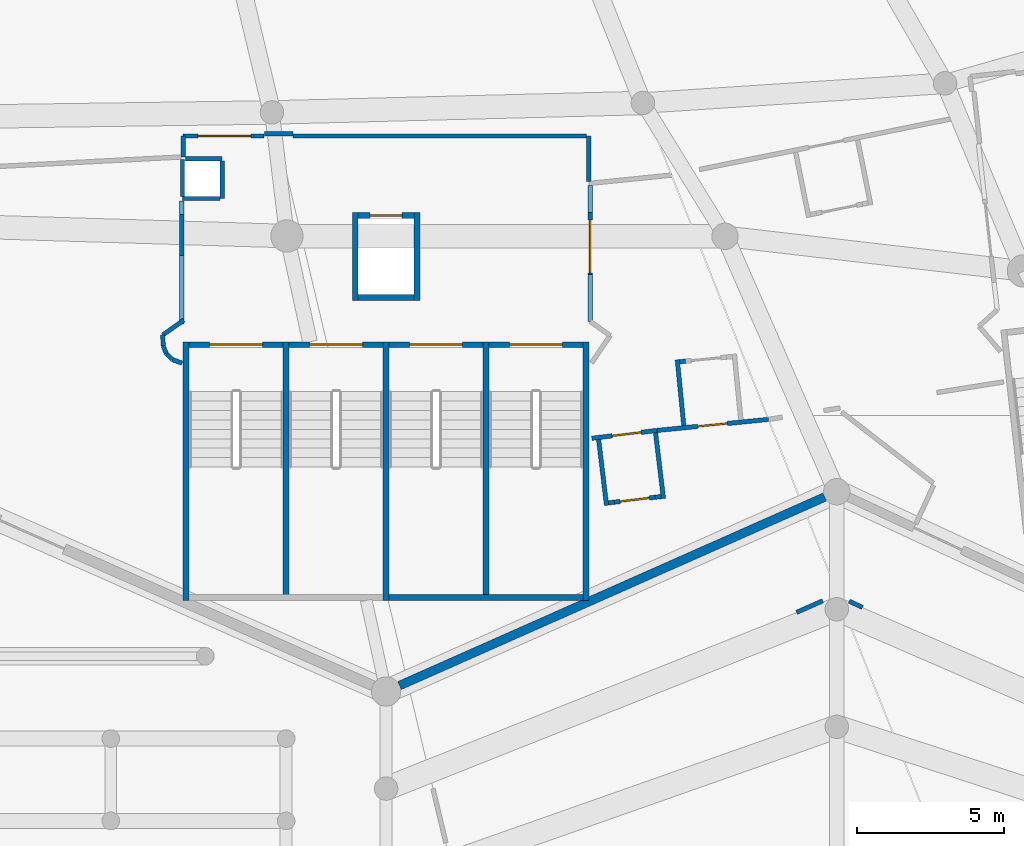
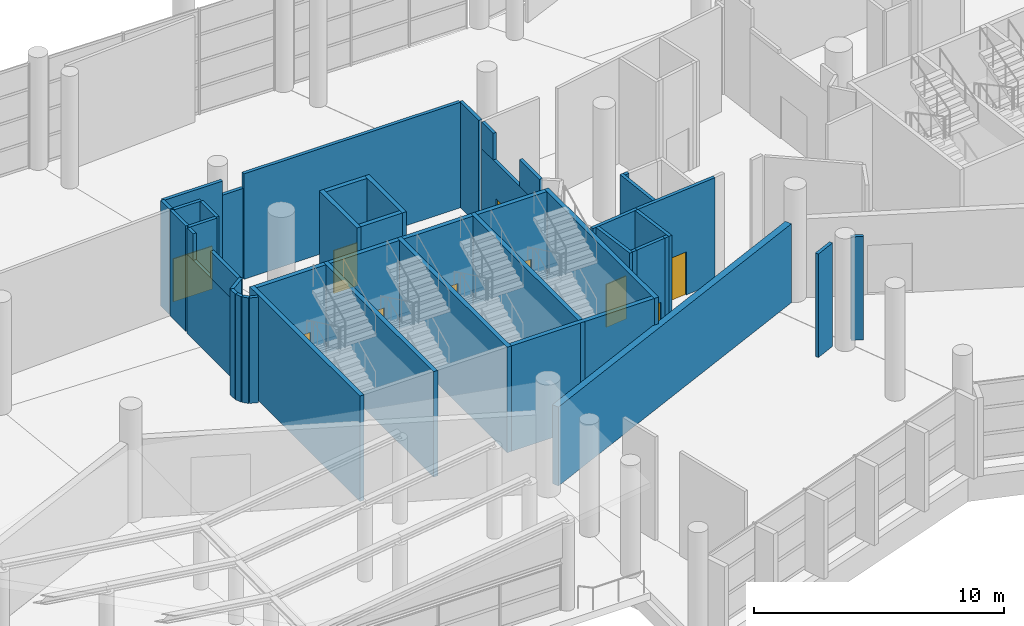
# One storey, part 170 of 271: 46 walls, 10 doors, 10 openings.
"""IFC4 building model written with IfcOpenShell, lengths in metres."""

from ifc_helpers import new_model, si_unit, direction, frame, frame_2d, origin, place, context, subcontext, project, spatial, rectangle, extrude, material, layer, layer_set, type_object, element, fill, save


model = new_model("IFC4")

# Units and contexts
model_context = context("Model", 3, precision=1e-05, world=origin(), true_north=direction((0.0, 1.0)))
body_context = subcontext(model_context, "Body", "Model", "MODEL_VIEW")
ifc_project = project(units=[si_unit("LENGTHUNIT", "METRE"), si_unit("AREAUNIT", "SQUARE_METRE"), si_unit("VOLUMEUNIT", "CUBIC_METRE"), si_unit("PLANEANGLEUNIT", "RADIAN"), si_unit("MASSUNIT", "GRAM", prefix="KILO")], contexts=[model_context])

# Site, building, storey
site_placement = place(None, origin())
site = spatial("IfcSite", under=ifc_project, at=site_placement, CompositionType="ELEMENT")
building_placement = place(site_placement, origin())
building = spatial("IfcBuilding", under=site, at=building_placement, Name="Meseta Stadium", CompositionType="ELEMENT")
storey_placement = place(building_placement, frame((0.0, 0.0, 6.5)))
storey = spatial("IfcBuildingStorey", under=building, at=storey_placement, Name="L01", CompositionType="ELEMENT", Elevation=6.5)

# Walls
ifc_material_1 = material(Name="Concrete C40/50", Category="concrete")
ifc_layer_1 = layer(ifc_material_1, 0.199951171875)
ifc_layer_set_1 = layer_set([ifc_layer_1], Name="Core divider wall 200")
wall_type_1 = type_object("IfcWallType", Name="Core divider wall 200", PredefinedType="SHEAR", material=ifc_layer_set_1)
for number, where, z_axis, x_axis, name in (
    (1, (19.60009765625, -102.300048828125, 0.0), (0.0, 0.0, 1.0), (0.0, 1.0, 0.0), "Core 25 L01 stair A divider wall"),
    (2, (26.39990234375, -102.300048828125, 0.0), (0.0, 0.0, 1.0), (0.0, 1.0, 0.0), "Core 25 L01 stair B divider wall"),
):
    element("IfcWall", number, at=place(storey_placement, frame(where, z_axis=z_axis, x_axis=x_axis)), inside=storey, type_object=wall_type_1, Name=name, PredefinedType="SHEAR", context=body_context, shape_type="SweptSolid", body=[
        extrude(rectangle(XDim=8.800048828125, YDim=0.199951171875, at=frame_2d((4.39990234375, 0.0))), origin(), (0.0, 0.0, 1.0), 5.14990234375),
    ])
ifc_material_2 = material(Name="Concrete C40/50", Category="concrete")
ifc_layer_2 = layer(ifc_material_2, 0.199951171875)
ifc_layer_set_2 = layer_set([ifc_layer_2], Name="Core shaft wall 200")
wall_type_2 = type_object("IfcWallType", Name="Core shaft wall 200", PredefinedType="SHEAR", material=ifc_layer_set_2)
for number, where, z_axis, x_axis, name in (
    (3, (16.199951171875, -102.300048828125, 0.0), (0.0, 0.0, 1.0), (0.0, 1.0, 0.0), "Core 25 L01 stair wall A-side"),
    (4, (23.0, -102.300048828125, 0.0), (0.0, 0.0, 1.0), (0.0, 1.0, 0.0), "Core 25 L01 stair wall shared"),
    (5, (29.800048828125, -102.300048828125, 0.0), (0.0, 0.0, 1.0), (0.0, 1.0, 0.0), "Core 25 L01 stair wall B-side"),
):
    element("IfcWall", number, at=place(storey_placement, frame(where, z_axis=z_axis, x_axis=x_axis)), inside=storey, type_object=wall_type_2, Name=name, PredefinedType="SHEAR", context=body_context, shape_type="SweptSolid", body=[
        extrude(rectangle(XDim=8.800048828125, YDim=0.199951171875, at=frame_2d((4.39990234375, 0.0))), origin(), (0.0, 0.0, 1.0), 5.14990234375),
    ])
wall_1_placement = place(storey_placement, frame((23.10009765625, -102.199951171875, 0.0), z_axis=(0.0, 0.0, 1.0), x_axis=(1.0, 0.0, 0.0)))
element("IfcWall", 6, at=wall_1_placement, inside=storey, type_object=wall_type_2, Name="Core 25 L01 stair B outer end wall", PredefinedType="SHEAR", context=body_context, shape_type="SweptSolid", body=[
    extrude(rectangle(XDim=6.599853515625, YDim=0.199951171875, at=frame_2d((3.2998046875, 0.0))), origin(), (0.0, 0.0, 1.0), 5.14990234375),
])

# Wall, opening, door
wall_2_placement = place(storey_placement, frame((16.300048828125, -93.60009765625, 0.0), z_axis=(0.0, 0.0, 1.0), x_axis=(1.0, 0.0, 0.0)))
wall_2 = element("IfcWall", 7, at=wall_2_placement, inside=storey, type_object=wall_type_2, Name="Core 25 L01 stair A1 inner end wall", PredefinedType="SHEAR", context=body_context, shape_type="SweptSolid", body=[
    extrude(rectangle(XDim=3.199951171875, YDim=0.199951171875, at=frame_2d((1.60009765625, 0.0))), origin(), (0.0, 0.0, 1.0), 5.14990234375),
])
opening_1_placement = place(wall_2_placement, frame((0.699951171875, 0.0, 0.0)))
opening_1 = element("IfcOpeningElement", 8, at=opening_1_placement, cuts=wall_2, Name="Opening D337", PredefinedType="OPENING", context=body_context, shape_type="SweptSolid", body=[
    extrude(rectangle(XDim=1.800048828125, YDim=2.10009765625, at=frame_2d((0.89990234375, 1.050048828125))), frame((0.0, 0.10986328125, 0.0), z_axis=(0.0, -1.0, 0.0), x_axis=(1.0, 0.0, 0.0)), (0.0, 0.0, 1.0), 0.219970703125),
])
ifc_material_3 = material(Name="Steel", Category="steel")
door_type_1 = type_object("IfcDoorType", Name="Stair door 1800x2100", OperationType="DOUBLE_DOOR_SINGLE_SWING", PredefinedType="DOOR", material=ifc_material_3)
door_1_placement = place(opening_1_placement, origin())
door_1 = element("IfcDoor", 9, at=door_1_placement, inside=storey, type_object=door_type_1, Name="Stair A1 door 25 L01", OperationType="DOUBLE_DOOR_SINGLE_SWING", OverallHeight=2.10009765625, OverallWidth=1.800048828125, PredefinedType="DOOR", context=body_context, shape_type="SweptSolid", body=[
    extrude(rectangle(XDim=1.800048828125, YDim=2.10009765625, at=frame_2d((0.89990234375, 1.050048828125))), frame((0.0, 0.02490234375, 0.0), z_axis=(0.0, -1.0, 0.0), x_axis=(1.0, 0.0, 0.0)), (0.0, 0.0, 1.0), 0.050048828125),
])
fill(opening_1, door_1)

wall_3_placement = place(storey_placement, frame((19.699951171875, -93.60009765625, 0.0), z_axis=(0.0, 0.0, 1.0), x_axis=(1.0, 0.0, 0.0)))
wall_3 = element("IfcWall", 10, at=wall_3_placement, inside=storey, type_object=wall_type_2, Name="Core 25 L01 stair A2 inner end wall", PredefinedType="SHEAR", context=body_context, shape_type="SweptSolid", body=[
    extrude(rectangle(XDim=3.199951171875, YDim=0.199951171875, at=frame_2d((1.60009765625, 0.0))), origin(), (0.0, 0.0, 1.0), 5.14990234375),
])
opening_2_placement = place(wall_3_placement, frame((0.699951171875, 0.0, 0.0)))
opening_2 = element("IfcOpeningElement", 11, at=opening_2_placement, cuts=wall_3, Name="Opening D338", PredefinedType="OPENING", context=body_context, shape_type="SweptSolid", body=[
    extrude(rectangle(XDim=1.800048828125, YDim=2.10009765625, at=frame_2d((0.89990234375, 1.050048828125))), frame((0.0, 0.10986328125, 0.0), z_axis=(0.0, -1.0, 0.0), x_axis=(1.0, 0.0, 0.0)), (0.0, 0.0, 1.0), 0.219970703125),
])
door_2_placement = place(opening_2_placement, origin())
door_2 = element("IfcDoor", 12, at=door_2_placement, inside=storey, type_object=door_type_1, Name="Stair A2 door 25 L01", OperationType="DOUBLE_DOOR_SINGLE_SWING", OverallHeight=2.10009765625, OverallWidth=1.800048828125, PredefinedType="DOOR", context=body_context, shape_type="SweptSolid", body=[
    extrude(rectangle(XDim=1.800048828125, YDim=2.10009765625, at=frame_2d((0.89990234375, 1.050048828125))), frame((0.0, 0.02490234375, 0.0), z_axis=(0.0, -1.0, 0.0), x_axis=(1.0, 0.0, 0.0)), (0.0, 0.0, 1.0), 0.050048828125),
])
fill(opening_2, door_2)

wall_4_placement = place(storey_placement, frame((23.10009765625, -93.60009765625, 0.0), z_axis=(0.0, 0.0, 1.0), x_axis=(1.0, 0.0, 0.0)))
wall_4 = element("IfcWall", 13, at=wall_4_placement, inside=storey, type_object=wall_type_2, Name="Core 25 L01 stair B1 inner end wall", PredefinedType="SHEAR", context=body_context, shape_type="SweptSolid", body=[
    extrude(rectangle(XDim=3.199951171875, YDim=0.199951171875, at=frame_2d((1.60009765625, 0.0))), origin(), (0.0, 0.0, 1.0), 5.14990234375),
])
opening_3_placement = place(wall_4_placement, frame((0.699951171875, 0.0, 0.0)))
opening_3 = element("IfcOpeningElement", 14, at=opening_3_placement, cuts=wall_4, Name="Opening D339", PredefinedType="OPENING", context=body_context, shape_type="SweptSolid", body=[
    extrude(rectangle(XDim=1.800048828125, YDim=2.10009765625, at=frame_2d((0.89990234375, 1.050048828125))), frame((0.0, 0.10986328125, 0.0), z_axis=(0.0, -1.0, 0.0), x_axis=(1.0, 0.0, 0.0)), (0.0, 0.0, 1.0), 0.219970703125),
])
door_3_placement = place(opening_3_placement, origin())
door_3 = element("IfcDoor", 15, at=door_3_placement, inside=storey, type_object=door_type_1, Name="Stair B1 door 25 L01", OperationType="DOUBLE_DOOR_SINGLE_SWING", OverallHeight=2.10009765625, OverallWidth=1.800048828125, PredefinedType="DOOR", context=body_context, shape_type="SweptSolid", body=[
    extrude(rectangle(XDim=1.800048828125, YDim=2.10009765625, at=frame_2d((0.89990234375, 1.050048828125))), frame((0.0, 0.02490234375, 0.0), z_axis=(0.0, -1.0, 0.0), x_axis=(1.0, 0.0, 0.0)), (0.0, 0.0, 1.0), 0.050048828125),
])
fill(opening_3, door_3)

wall_5_placement = place(storey_placement, frame((26.5, -93.60009765625, 0.0), z_axis=(0.0, 0.0, 1.0), x_axis=(1.0, 0.0, 0.0)))
wall_5 = element("IfcWall", 16, at=wall_5_placement, inside=storey, type_object=wall_type_2, Name="Core 25 L01 stair B2 inner end wall", PredefinedType="SHEAR", context=body_context, shape_type="SweptSolid", body=[
    extrude(rectangle(XDim=3.199951171875, YDim=0.199951171875, at=frame_2d((1.60009765625, 0.0))), origin(), (0.0, 0.0, 1.0), 5.14990234375),
])
opening_4_placement = place(wall_5_placement, frame((0.699951171875, 0.0, 0.0)))
opening_4 = element("IfcOpeningElement", 17, at=opening_4_placement, cuts=wall_5, Name="Opening D340", PredefinedType="OPENING", context=body_context, shape_type="SweptSolid", body=[
    extrude(rectangle(XDim=1.800048828125, YDim=2.10009765625, at=frame_2d((0.89990234375, 1.050048828125))), frame((0.0, 0.10986328125, 0.0), z_axis=(0.0, -1.0, 0.0), x_axis=(1.0, 0.0, 0.0)), (0.0, 0.0, 1.0), 0.219970703125),
])
door_4_placement = place(opening_4_placement, origin())
door_4 = element("IfcDoor", 18, at=door_4_placement, inside=storey, type_object=door_type_1, Name="Stair B2 door 25 L01", OperationType="DOUBLE_DOOR_SINGLE_SWING", OverallHeight=2.10009765625, OverallWidth=1.800048828125, PredefinedType="DOOR", context=body_context, shape_type="SweptSolid", body=[
    extrude(rectangle(XDim=1.800048828125, YDim=2.10009765625, at=frame_2d((0.89990234375, 1.050048828125))), frame((0.0, 0.02490234375, 0.0), z_axis=(0.0, -1.0, 0.0), x_axis=(1.0, 0.0, 0.0)), (0.0, 0.0, 1.0), 0.050048828125),
])
fill(opening_4, door_4)

# Walls
for number, where, z_axis, x_axis, name in (
    (19, (21.949951171875, -92.10009765625, 0.0), (0.0, 0.0, 1.0), (0.0, 1.0, 0.0), "Core 25 L01 lift shaft wall left"),
    (20, (24.050048828125, -92.10009765625, 0.0), (0.0, 0.0, 1.0), (0.0, 1.0, 0.0), "Core 25 L01 lift shaft wall right"),
):
    element("IfcWall", number, at=place(storey_placement, frame(where, z_axis=z_axis, x_axis=x_axis)), inside=storey, type_object=wall_type_2, Name=name, PredefinedType="SHEAR", context=body_context, shape_type="SweptSolid", body=[
        extrude(rectangle(XDim=3.0, YDim=0.199951171875, at=frame_2d((1.5, 0.0))), origin(), (0.0, 0.0, 1.0), 5.14990234375),
    ])
wall_6_placement = place(storey_placement, frame((22.050048828125, -92.0, 0.0), z_axis=(0.0, 0.0, 1.0), x_axis=(1.0, 0.0, 0.0)))
element("IfcWall", 21, at=wall_6_placement, inside=storey, type_object=wall_type_2, Name="Core 25 L01 lift shaft back wall", PredefinedType="SHEAR", context=body_context, shape_type="SweptSolid", body=[
    extrude(rectangle(XDim=1.89990234375, YDim=0.199951171875, at=frame_2d((0.949951171875, 0.0))), origin(), (0.0, 0.0, 1.0), 5.14990234375),
])

# Wall, opening, door
wall_7_placement = place(storey_placement, frame((22.050048828125, -89.199951171875, 0.0), z_axis=(0.0, 0.0, 1.0), x_axis=(1.0, 0.0, 0.0)))
wall_7 = element("IfcWall", 22, at=wall_7_placement, inside=storey, type_object=wall_type_2, Name="Core 25 L01 lift shaft front wall", PredefinedType="SHEAR", context=body_context, shape_type="SweptSolid", body=[
    extrude(rectangle(XDim=1.89990234375, YDim=0.199951171875, at=frame_2d((0.949951171875, 0.0))), origin(), (0.0, 0.0, 1.0), 5.14990234375),
])
opening_5_placement = place(wall_7_placement, frame((0.39990234375, 0.0, 0.0)))
opening_5 = element("IfcOpeningElement", 23, at=opening_5_placement, cuts=wall_7, Name="Opening LD137", PredefinedType="OPENING", context=body_context, shape_type="SweptSolid", body=[
    extrude(rectangle(XDim=1.10009765625, YDim=2.10009765625, at=frame_2d((0.550048828125, 1.050048828125))), frame((0.0, 0.10986328125, 0.0), z_axis=(0.0, -1.0, 0.0), x_axis=(1.0, 0.0, 0.0)), (0.0, 0.0, 1.0), 0.219970703125),
])
ifc_material_4 = material(Name="Steel", Category="steel")
door_type_2 = type_object("IfcDoorType", Name="Lift landing door 1100x2100", OperationType="SLIDING_TO_LEFT", PredefinedType="DOOR", material=ifc_material_4)
door_5_placement = place(opening_5_placement, origin())
door_5 = element("IfcDoor", 24, at=door_5_placement, inside=storey, type_object=door_type_2, Name="Lift landing door LD137", OperationType="SLIDING_TO_LEFT", OverallHeight=2.10009765625, OverallWidth=1.10009765625, PredefinedType="DOOR", context=body_context, shape_type="SweptSolid", body=[
    extrude(rectangle(XDim=1.10009765625, YDim=2.10009765625, at=frame_2d((0.550048828125, 1.050048828125))), frame((0.0, 0.02490234375, 0.0), z_axis=(0.0, -1.0, 0.0), x_axis=(1.0, 0.0, 0.0)), (0.0, 0.0, 1.0), 0.050048828125),
])
fill(opening_5, door_5)

ifc_material_5 = material(Name="Masonry blockwork", Category="masonry")
ifc_layer_3 = layer(ifc_material_5, 0.14990234375)
ifc_layer_set_3 = layer_set([ifc_layer_3], Name="Partition 150")
wall_type_3 = type_object("IfcWallType", Name="Partition 150", PredefinedType="PARTITIONING", material=ifc_layer_set_3)
wall_8_placement = place(storey_placement, frame((18.85107421875, -86.5, 0.0), z_axis=(0.0, 0.0, 1.0), x_axis=(-1.0, 0.0, 0.0)))
wall_8 = element("IfcWall", 25, at=wall_8_placement, inside=storey, type_object=wall_type_3, Name="Partition L01 L01-cell23-0-0", PredefinedType="PARTITIONING", context=body_context, shape_type="SweptSolid", body=[
    extrude(rectangle(XDim=2.7509765625, YDim=0.14990234375, at=frame_2d((1.37548828125, 0.0))), origin(), (0.0, 0.0, 1.0), 5.14990234375),
])
opening_6_placement = place(wall_8_placement, frame((0.449951171875, 0.0, 0.0)))
opening_6 = element("IfcOpeningElement", 26, at=opening_6_placement, cuts=wall_8, Name="Opening D672", PredefinedType="OPENING", context=body_context, shape_type="SweptSolid", body=[
    extrude(rectangle(XDim=1.800048828125, YDim=2.10009765625, at=frame_2d((0.89990234375, 1.050048828125))), frame((0.0, 0.0849609375, 0.0), z_axis=(0.0, -1.0, 0.0), x_axis=(1.0, 0.0, 0.0)), (0.0, 0.0, 1.0), 0.169921875),
])
ifc_material_6 = material(Name="Steel", Category="steel")
door_type_3 = type_object("IfcDoorType", Name="Fire double door 1800x2100 EI2 60", OperationType="DOUBLE_DOOR_SINGLE_SWING", PredefinedType="DOOR", material=ifc_material_6)
door_6_placement = place(opening_6_placement, origin())
door_6 = element("IfcDoor", 27, at=door_6_placement, inside=storey, type_object=door_type_3, Name="Door D672", OperationType="DOUBLE_DOOR_SINGLE_SWING", OverallHeight=2.10009765625, OverallWidth=1.800048828125, PredefinedType="DOOR", context=body_context, shape_type="SweptSolid", body=[
    extrude(rectangle(XDim=1.800048828125, YDim=2.10009765625, at=frame_2d((0.89990234375, 1.050048828125))), frame((0.0, 0.02490234375, 0.0), z_axis=(0.0, -1.0, 0.0), x_axis=(1.0, 0.0, 0.0)), (0.0, 0.0, 1.0), 0.050048828125),
])
fill(opening_6, door_6)

# Walls
wall_9_placement = place(storey_placement, frame((16.10009765625, -86.5, 0.0), z_axis=(0.0, 0.0, 1.0), x_axis=(0.0, -1.0, 0.0)))
element("IfcWall", 28, at=wall_9_placement, inside=storey, type_object=wall_type_3, Name="Partition L01 L01-cell23-0-0", PredefinedType="PARTITIONING", context=body_context, shape_type="SweptSolid", body=[
    extrude(rectangle(XDim=0.7099609375, YDim=0.14990234375, at=frame_2d((0.35498046875, 0.0))), origin(), (0.0, 0.0, 1.0), 5.14990234375),
])
wall_10_placement = place(storey_placement, frame((29.89990234375, -88.03955078125, 0.0), z_axis=(0.0, 0.0, 1.0), x_axis=(0.0, 1.0, 0.0)))
element("IfcWall", 29, at=wall_10_placement, inside=storey, type_object=wall_type_3, Name="Partition L01 L01-cell24-0-0", PredefinedType="PARTITIONING", context=body_context, shape_type="SweptSolid", body=[
    extrude(rectangle(XDim=1.53955078125, YDim=0.14990234375, at=frame_2d((0.769775390625, 0.0))), origin(), (0.0, 0.0, 1.0), 5.14990234375),
])
wall_11_placement = place(storey_placement, frame((29.824951171875, -86.5, 0.0), z_axis=(0.0, 0.0, 1.0), x_axis=(-1.0, 0.0, 0.0)))
element("IfcWall", 30, at=wall_11_placement, inside=storey, type_object=wall_type_3, Name="Partition L01 L01-cell24-0-0", PredefinedType="PARTITIONING", context=body_context, shape_type="SweptSolid", body=[
    extrude(rectangle(XDim=9.986328125, YDim=0.14990234375, at=frame_2d((4.9931640625, 0.0))), origin(), (0.0, 0.0, 1.0), 5.14990234375),
])

# Wall, opening, door
wall_12_placement = place(storey_placement, frame((30.0, -96.783447265625, 0.0), z_axis=(0.0, 0.0, 1.0), x_axis=(0.992839520799, 0.119455790735, 0.0)))
wall_12 = element("IfcWall", 31, at=wall_12_placement, inside=storey, type_object=wall_type_3, Name="Partition L01 L01-cell24-2-0", PredefinedType="PARTITIONING", context=body_context, shape_type="SweptSolid", body=[
    extrude(rectangle(XDim=2.231689453125, YDim=0.14990234375, at=frame_2d((1.11572265625, 0.0))), origin(), (0.0, 0.0, 1.0), 5.14990234375),
])
opening_7_placement = place(wall_12_placement, frame((0.699951171875, 0.0, 0.0)))
opening_7 = element("IfcOpeningElement", 32, at=opening_7_placement, cuts=wall_12, Name="Opening D674", PredefinedType="OPENING", context=body_context, shape_type="SweptSolid", body=[
    extrude(rectangle(XDim=1.0, YDim=2.10009765625, at=frame_2d((0.5, 1.050048828125))), frame((0.0, 0.0849609375, 0.0), z_axis=(0.0, -1.0, 0.0), x_axis=(1.0, 0.0, 0.0)), (0.0, 0.0, 1.0), 0.169921875),
])
ifc_material_7 = material(Name="Steel", Category="steel")
door_type_4 = type_object("IfcDoorType", Name="Fire door 1000x2100 EI2 60", OperationType="NOTDEFINED", PredefinedType="DOOR", material=ifc_material_7)
door_7_placement = place(opening_7_placement, origin())
door_7 = element("IfcDoor", 33, at=door_7_placement, inside=storey, type_object=door_type_4, Name="Door D674", OperationType="SINGLE_SWING_RIGHT", OverallHeight=2.10009765625, OverallWidth=1.0, PredefinedType="DOOR", context=body_context, shape_type="SweptSolid", body=[
    extrude(rectangle(XDim=1.0, YDim=2.10009765625, at=frame_2d((0.5, 1.050048828125))), frame((0.0, 0.02490234375, 0.0), z_axis=(0.0, -1.0, 0.0), x_axis=(1.0, 0.0, 0.0)), (0.0, 0.0, 1.0), 0.050048828125),
])
fill(opening_7, door_7)

wall_13_placement = place(storey_placement, frame((32.2158203125, -96.516845703125, 0.0), z_axis=(0.0, 0.0, 1.0), x_axis=(0.995135010831, 0.098520608089, 0.0)))
wall_13 = element("IfcWall", 34, at=wall_13_placement, inside=storey, type_object=wall_type_3, Name="Partition L01 L01-cell24-2-0", PredefinedType="PARTITIONING", context=body_context, shape_type="SweptSolid", body=[
    extrude(rectangle(XDim=3.811279296875, YDim=0.14990234375, at=frame_2d((1.90576171875, 0.0))), origin(), (0.0, 0.0, 1.0), 5.14990234375),
])
opening_8_placement = place(wall_13_placement, frame((1.39990234375, 0.0, 0.0)))
opening_8 = element("IfcOpeningElement", 35, at=opening_8_placement, cuts=wall_13, Name="Opening D002", PredefinedType="OPENING", context=body_context, shape_type="SweptSolid", body=[
    extrude(rectangle(XDim=1.0, YDim=2.10009765625, at=frame_2d((0.5, 1.050048828125))), frame((0.0, 0.0849609375, 0.0), z_axis=(0.0, -1.0, 0.0), x_axis=(1.0, 0.0, 0.0)), (0.0, 0.0, 1.0), 0.169921875),
])
door_8_placement = place(opening_8_placement, origin())
door_8 = element("IfcDoor", 36, at=door_8_placement, inside=storey, type_object=door_type_4, Name="Room door L01 L01-cell24-2-0", OperationType="SINGLE_SWING_RIGHT", OverallHeight=2.10009765625, OverallWidth=1.0, PredefinedType="DOOR", context=body_context, shape_type="SweptSolid", body=[
    extrude(rectangle(XDim=1.0, YDim=2.10009765625, at=frame_2d((0.5, 1.050048828125))), frame((0.0, 0.02490234375, 0.0), z_axis=(0.0, -1.0, 0.0), x_axis=(1.0, 0.0, 0.0)), (0.0, 0.0, 1.0), 0.050048828125),
])
fill(opening_8, door_8)

# Walls
wall_14_placement = place(storey_placement, frame((36.964599609375, -102.70751953125, 0.0), z_axis=(0.0, 0.0, 1.0), x_axis=(0.914193086295, 0.4052789175, 0.0)))
element("IfcWall", 37, at=wall_14_placement, inside=storey, type_object=wall_type_3, Name="Partition L01 L01-ring24-0", PredefinedType="PARTITIONING", context=body_context, shape_type="SweptSolid", body=[
    extrude(rectangle(XDim=0.975341796875, YDim=0.14990234375, at=frame_2d((0.48779296875, 0.0))), origin(), (0.0, 0.0, 1.0), 5.050048828125),
])
wall_15_placement = place(storey_placement, frame((38.7548828125, -102.325439453125, 0.0), z_axis=(0.0, 0.0, 1.0), x_axis=(0.906755828453, -0.421656101067, 0.0)))
element("IfcWall", 38, at=wall_15_placement, inside=storey, type_object=wall_type_3, Name="Partition L01 L01-ring24-0", PredefinedType="PARTITIONING", context=body_context, shape_type="SweptSolid", body=[
    extrude(rectangle(XDim=0.500244140625, YDim=0.14990234375, at=frame_2d((0.25, 0.0))), origin(), (0.0, 0.0, 1.0), 5.050048828125),
])
wall_16_placement = place(storey_placement, frame((16.074951171875, -88.625, 0.0), z_axis=(0.0, 0.0, 1.0), x_axis=(1.0, 0.0, 0.0)))
element("IfcWall", 39, at=wall_16_placement, inside=storey, type_object=wall_type_3, Name="Pressurisation shaft wall L01 core 25", PredefinedType="PARTITIONING", context=body_context, shape_type="SweptSolid", body=[
    extrude(rectangle(XDim=1.275146484375, YDim=0.14990234375, at=frame_2d((0.6376953125, 0.0))), origin(), (0.0, 0.0, 1.0), 5.14990234375),
])
wall_17_placement = place(storey_placement, frame((17.425048828125, -88.625, 0.0), z_axis=(0.0, 0.0, 1.0), x_axis=(0.0, 1.0, 0.0)))
element("IfcWall", 40, at=wall_17_placement, inside=storey, type_object=wall_type_3, Name="Pressurisation shaft wall L01 core 25", PredefinedType="PARTITIONING", context=body_context, shape_type="SweptSolid", body=[
    extrude(rectangle(XDim=1.27490234375, YDim=0.14990234375, at=frame_2d((0.637451171875, 0.0))), origin(), (0.0, 0.0, 1.0), 5.14990234375),
])
wall_18_placement = place(storey_placement, frame((17.425048828125, -87.27490234375, 0.0), z_axis=(0.0, 0.0, 1.0), x_axis=(-1.0, 0.0, 0.0)))
element("IfcWall", 41, at=wall_18_placement, inside=storey, type_object=wall_type_3, Name="Pressurisation shaft wall L01 core 25", PredefinedType="PARTITIONING", context=body_context, shape_type="SweptSolid", body=[
    extrude(rectangle(XDim=1.2490234375, YDim=0.14990234375, at=frame_2d((0.62451171875, 0.0))), origin(), (0.0, 0.0, 1.0), 5.14990234375),
])
wall_19_placement = place(storey_placement, frame((16.074951171875, -87.291259765625, 0.0), z_axis=(0.0, 0.0, 1.0), x_axis=(0.0, -1.0, 0.0)))
element("IfcWall", 42, at=wall_19_placement, inside=storey, type_object=wall_type_3, Name="Pressurisation shaft wall L01 core 25", PredefinedType="PARTITIONING", context=body_context, shape_type="SweptSolid", body=[
    extrude(rectangle(XDim=1.2587890625, YDim=0.14990234375, at=frame_2d((0.62939453125, 0.0))), origin(), (0.0, 0.0, 1.0), 5.14990234375),
])
wall_20_placement = place(storey_placement, frame((16.119384765625, -92.763916015625, 0.0), z_axis=(0.0, 0.0, 1.0), x_axis=(-0.817709179483, -0.575631564275, 0.0)))
element("IfcWall", 43, at=wall_20_placement, inside=storey, type_object=wall_type_3, Name="Stair vestibule wall L01 core 25", PredefinedType="PARTITIONING", context=body_context, shape_type="SweptSolid", body=[
    extrude(rectangle(XDim=0.87548828125, YDim=0.14990234375, at=frame_2d((0.437744140625, 0.0))), origin(), (0.0, 0.0, 1.0), 5.14990234375),
])
wall_21_placement = place(storey_placement, frame((15.403564453125, -93.267822265625, 0.0), z_axis=(0.0, 0.0, 1.0), x_axis=(0.038982051143, -0.999239910977, 0.0)))
element("IfcWall", 44, at=wall_21_placement, inside=storey, type_object=wall_type_3, Name="Stair vestibule wall L01 core 25", PredefinedType="PARTITIONING", context=body_context, shape_type="SweptSolid", body=[
    extrude(rectangle(XDim=0.375732421875, YDim=0.14990234375, at=frame_2d((0.18798828125, 0.0))), origin(), (0.0, 0.0, 1.0), 5.14990234375),
])
wall_22_placement = place(storey_placement, frame((15.418212890625, -93.643310546875, 0.0), z_axis=(0.0, 0.0, 1.0), x_axis=(0.382275228123, -0.924048510611, 0.0)))
element("IfcWall", 45, at=wall_22_placement, inside=storey, type_object=wall_type_3, Name="Stair vestibule wall L01 core 25", PredefinedType="PARTITIONING", context=body_context, shape_type="SweptSolid", body=[
    extrude(rectangle(XDim=0.28173828125, YDim=0.14990234375, at=frame_2d((0.140869140625, 0.0))), origin(), (0.0, 0.0, 1.0), 5.14990234375),
])
wall_23_placement = place(storey_placement, frame((15.52587890625, -93.903564453125, 0.0), z_axis=(0.0, 0.0, 1.0), x_axis=(0.707534941396, -0.706678361564, 0.0)))
element("IfcWall", 46, at=wall_23_placement, inside=storey, type_object=wall_type_3, Name="Stair vestibule wall L01 core 25", PredefinedType="PARTITIONING", context=body_context, shape_type="SweptSolid", body=[
    extrude(rectangle(XDim=0.284912109375, YDim=0.14990234375, at=frame_2d((0.142578125, 0.0))), origin(), (0.0, 0.0, 1.0), 5.14990234375),
])
wall_24_placement = place(storey_placement, frame((15.7275390625, -94.10498046875, 0.0), z_axis=(0.0, 0.0, 1.0), x_axis=(0.937674325327, -0.347515265308, 0.0)))
element("IfcWall", 47, at=wall_24_placement, inside=storey, type_object=wall_type_3, Name="Stair vestibule wall L01 core 25", PredefinedType="PARTITIONING", context=body_context, shape_type="SweptSolid", body=[
    extrude(rectangle(XDim=0.356201171875, YDim=0.14990234375, at=frame_2d((0.17822265625, 0.0))), origin(), (0.0, 0.0, 1.0), 5.14990234375),
])

# Wall, opening, door
wall_25_placement = place(storey_placement, frame((29.9453125, -92.809326171875, 0.0), z_axis=(0.0, 0.0, 1.0), x_axis=(5.285971e-05, 0.999999998603, 0.0)))
wall_25 = element("IfcWall", 48, at=wall_25_placement, inside=storey, type_object=wall_type_3, Name="Stair vestibule wall L01 core 25", PredefinedType="PARTITIONING", context=body_context, shape_type="SweptSolid", body=[
    extrude(rectangle(XDim=4.61865234375, YDim=0.14990234375, at=frame_2d((2.309326171875, 0.0))), origin(), (0.0, 0.0, 1.0), 3.85009765625),
])
opening_9_placement = place(wall_25_placement, frame((1.64990234375, 0.0, 0.0)))
opening_9 = element("IfcOpeningElement", 49, at=opening_9_placement, cuts=wall_25, Name="Opening D805", PredefinedType="OPENING", context=body_context, shape_type="SweptSolid", body=[
    extrude(rectangle(XDim=1.800048828125, YDim=2.10009765625, at=frame_2d((0.89990234375, 1.050048828125))), frame((0.0, 0.0849609375, 0.0), z_axis=(0.0, -1.0, 0.0), x_axis=(1.0, 0.0, 0.0)), (0.0, 0.0, 1.0), 0.169921875),
])
door_9_placement = place(opening_9_placement, origin())
door_9 = element("IfcDoor", 50, at=door_9_placement, inside=storey, type_object=door_type_3, Name="Stair vestibule door L01 core 25", OperationType="DOUBLE_DOOR_SINGLE_SWING", OverallHeight=2.10009765625, OverallWidth=1.800048828125, PredefinedType="DOOR", context=body_context, shape_type="SweptSolid", body=[
    extrude(rectangle(XDim=1.800048828125, YDim=2.10009765625, at=frame_2d((0.89990234375, 1.050048828125))), frame((0.0, 0.02490234375, 0.0), z_axis=(0.0, -1.0, 0.0), x_axis=(1.0, 0.0, 0.0)), (0.0, 0.0, 1.0), 0.050048828125),
])
fill(opening_9, door_9)

# Walls
wall_26_placement = place(storey_placement, frame((29.9453125, -92.809326171875, 3.85009765625), z_axis=(0.0, 0.0, 1.0), x_axis=(0.0, 1.0, 0.0)))
element("IfcWall", 51, at=wall_26_placement, inside=storey, type_object=wall_type_3, Name="Stair vestibule wall L01 core 25", PredefinedType="PARTITIONING", context=body_context, shape_type="SweptSolid", body=[
    extrude(rectangle(XDim=1.60009765625, YDim=0.14990234375, at=frame_2d((0.800048828125, 0.0))), origin(), (0.0, 0.0, 1.0), 1.2998046875),
])
wall_27_placement = place(storey_placement, frame((29.9453125, -89.1083984375, 3.85009765625), z_axis=(0.0, 0.0, 1.0), x_axis=(0.00026602819, 0.999999964615, 0.0)))
element("IfcWall", 52, at=wall_27_placement, inside=storey, type_object=wall_type_3, Name="Stair vestibule wall L01 core 25", PredefinedType="PARTITIONING", context=body_context, shape_type="SweptSolid", body=[
    extrude(rectangle(XDim=0.917724609375, YDim=0.14990234375, at=frame_2d((0.458984375, 0.0))), origin(), (0.0, 0.0, 1.0), 1.2998046875),
])
wall_28_placement = place(storey_placement, frame((19.82861328125, -86.425048828125, 0.0), z_axis=(0.0, 0.0, 1.0), x_axis=(-1.0, 0.0, 0.0)))
element("IfcWall", 53, at=wall_28_placement, inside=storey, type_object=wall_type_3, Name="Stair vestibule wall L01 core 25", PredefinedType="PARTITIONING", context=body_context, shape_type="SweptSolid", body=[
    extrude(rectangle(XDim=0.967529296875, YDim=0.14990234375, at=frame_2d((0.48388671875, 0.0))), origin(), (0.0, 0.0, 1.0), 4.39990234375),
])
wall_29_placement = place(storey_placement, frame((16.054931640625, -88.7099609375, 0.0), z_axis=(0.0, 0.0, 1.0), x_axis=(0.0, -1.0, 0.0)))
element("IfcWall", 54, at=wall_29_placement, inside=storey, type_object=wall_type_3, Name="Stair vestibule wall L01 core 25", PredefinedType="PARTITIONING", context=body_context, shape_type="SweptSolid", body=[
    extrude(rectangle(XDim=4.17822265625, YDim=0.14990234375, at=frame_2d((2.089111328125, 0.0))), origin(), (0.0, 0.0, 1.0), 3.85009765625),
])
wall_30_placement = place(storey_placement, frame((16.054931640625, -88.7099609375, 3.85009765625), z_axis=(0.0, 0.0, 1.0), x_axis=(0.0, -1.0, 0.0)))
element("IfcWall", 55, at=wall_30_placement, inside=storey, type_object=wall_type_3, Name="Stair vestibule wall L01 core 25", PredefinedType="PARTITIONING", context=body_context, shape_type="SweptSolid", body=[
    extrude(rectangle(XDim=0.46435546875, YDim=0.14990234375, at=frame_2d((0.232177734375, 0.0))), origin(), (0.0, 0.0, 1.0), 1.2998046875),
])
wall_31_placement = place(storey_placement, frame((16.054931640625, -90.56689453125, 3.85009765625), z_axis=(0.0, 0.0, 1.0), x_axis=(0.0, -1.0, 0.0)))
element("IfcWall", 56, at=wall_31_placement, inside=storey, type_object=wall_type_3, Name="Stair vestibule wall L01 core 25", PredefinedType="PARTITIONING", context=body_context, shape_type="SweptSolid", body=[
    extrude(rectangle(XDim=2.3212890625, YDim=0.14990234375, at=frame_2d((1.16064453125, 0.0))), origin(), (0.0, 0.0, 1.0), 1.2998046875),
])
wall_32_placement = place(storey_placement, frame((33.12890625, -96.35107421875, 0.0), z_axis=(0.0, 0.0, 1.0), x_axis=(-0.098526017182, 0.995134475304, 0.0)))
element("IfcWall", 57, at=wall_32_placement, inside=storey, type_object=wall_type_3, Name="Partition L01 L01-cell24-2-0 vestibule", PredefinedType="PARTITIONING", context=body_context, shape_type="SweptSolid", body=[
    extrude(rectangle(XDim=2.25, YDim=0.14990234375, at=frame_2d((1.125, 0.0))), origin(), (0.0, 0.0, 1.0), 5.14990234375),
])
wall_33_placement = place(storey_placement, frame((32.9892578125, -94.17919921875, 0.0), z_axis=(0.0, 0.0, 1.0), x_axis=(0.995216892722, 0.09769000174, 0.0)))
element("IfcWall", 58, at=wall_33_placement, inside=storey, type_object=wall_type_3, Name="Partition L01 L01-cell24-2-0 vestibule", PredefinedType="PARTITIONING", context=body_context, shape_type="SweptSolid", body=[
    extrude(rectangle(XDim=0.199951171875, YDim=0.14990234375, at=frame_2d((0.10009765625, 0.0))), origin(), (0.0, 0.0, 1.0), 5.14990234375),
])
for number, where, z_axis, x_axis, name in (
    (59, (30.232421875, -96.8310546875, 0.0), (0.0, 0.0, 1.0), (0.119359153818, -0.992851143123, 0.0), "Partition L01 L01-cell24-2-0 vestibule"),
    (60, (32.16845703125, -96.59814453125, 0.0), (0.0, 0.0, 1.0), (0.119359153818, -0.992851143123, 0.0), "Partition L01 L01-cell24-2-0 vestibule"),
):
    element("IfcWall", number, at=place(storey_placement, frame(where, z_axis=z_axis, x_axis=x_axis)), inside=storey, type_object=wall_type_3, Name=name, PredefinedType="PARTITIONING", context=body_context, shape_type="SweptSolid", body=[
        extrude(rectangle(XDim=2.25, YDim=0.14990234375, at=frame_2d((1.125, 0.0))), origin(), (0.0, 0.0, 1.0), 5.14990234375),
    ])
wall_34_placement = place(storey_placement, frame((30.56640625, -98.9814453125, 0.0), z_axis=(0.0, 0.0, 1.0), x_axis=(0.992830592569, 0.119529973061, 0.0)))
element("IfcWall", 61, at=wall_34_placement, inside=storey, type_object=wall_type_3, Name="Partition L01 L01-cell24-2-0 vestibule", PredefinedType="PARTITIONING", context=body_context, shape_type="SweptSolid", body=[
    extrude(rectangle(XDim=0.2001953125, YDim=0.14990234375, at=frame_2d((0.10009765625, 0.0))), origin(), (0.0, 0.0, 1.0), 5.14990234375),
])

# Wall, opening, door
wall_35_placement = place(storey_placement, frame((30.76513671875, -98.95751953125, 0.0), z_axis=(0.0, 0.0, 1.0), x_axis=(0.99283882799, 0.119461548774, 0.0)))
wall_35 = element("IfcWall", 62, at=wall_35_placement, inside=storey, type_object=wall_type_3, Name="Partition L01 L01-cell24-2-0 vestibule", PredefinedType="PARTITIONING", context=body_context, shape_type="SweptSolid", body=[
    extrude(rectangle(XDim=1.39990234375, YDim=0.14990234375, at=frame_2d((0.699951171875, 0.0))), origin(), (0.0, 0.0, 1.0), 5.14990234375),
])
opening_10_placement = place(wall_35_placement, frame((0.199951171875, 0.0, 0.0)))
opening_10 = element("IfcOpeningElement", 63, at=opening_10_placement, cuts=wall_35, Name="Opening D917", PredefinedType="OPENING", context=body_context, shape_type="SweptSolid", body=[
    extrude(rectangle(XDim=1.0, YDim=2.10009765625, at=frame_2d((0.5, 1.050048828125))), frame((0.0, 0.0849609375, 0.0), z_axis=(0.0, -1.0, 0.0), x_axis=(1.0, 0.0, 0.0)), (0.0, 0.0, 1.0), 0.169921875),
])
door_10_placement = place(opening_10_placement, origin())
door_10 = element("IfcDoor", 64, at=door_10_placement, inside=storey, type_object=door_type_4, Name="Vestibule door L01 L01-cell24-2-0", OperationType="SINGLE_SWING_LEFT", OverallHeight=2.10009765625, OverallWidth=1.0, PredefinedType="DOOR", context=body_context, shape_type="SweptSolid", body=[
    extrude(rectangle(XDim=1.0, YDim=2.10009765625, at=frame_2d((0.5, 1.050048828125))), frame((0.0, 0.02490234375, 0.0), z_axis=(0.0, -1.0, 0.0), x_axis=(1.0, 0.0, 0.0)), (0.0, 0.0, 1.0), 0.050048828125),
])
fill(opening_10, door_10)

# Walls
wall_36_placement = place(storey_placement, frame((32.155029296875, -98.790283203125, 0.0), z_axis=(0.0, 0.0, 1.0), x_axis=(0.992957519171, 0.118470946322, 0.0)))
element("IfcWall", 65, at=wall_36_placement, inside=storey, type_object=wall_type_3, Name="Partition L01 L01-cell24-2-0 vestibule", PredefinedType="PARTITIONING", context=body_context, shape_type="SweptSolid", body=[
    extrude(rectangle(XDim=0.199951171875, YDim=0.14990234375, at=frame_2d((0.10009765625, 0.0))), origin(), (0.0, 0.0, 1.0), 5.14990234375),
])
ifc_material_8 = material(Name="White precast concrete C40/50", Category="concrete")
ifc_layer_4 = layer(ifc_material_8, 0.300048828125)
ifc_layer_set_4 = layer_set([ifc_layer_4], Name="Pleated panel wall 300 concourse")
wall_type_4 = type_object("IfcWallType", Name="Pleated panel wall 300 concourse", PredefinedType="SOLIDWALL", material=ifc_layer_set_4)
wall_37_placement = place(storey_placement, frame((37.92236328125, -98.7822265625, 0.0), z_axis=(0.0, 0.0, 1.0), x_axis=(-0.914138897099, -0.405401130748, 0.0)))
element("IfcWall", 66, at=wall_37_placement, inside=storey, type_object=wall_type_4, Name="Pleated facade panel L01 F48", PredefinedType="SOLIDWALL", context=body_context, shape_type="SweptSolid", body=[
    extrude(rectangle(XDim=15.824462890625, YDim=0.300048828125, at=frame_2d((7.912109375, 0.0))), origin(), (0.0, 0.0, 1.0), 3.85009765625),
])

save(model, "model.ifc")
